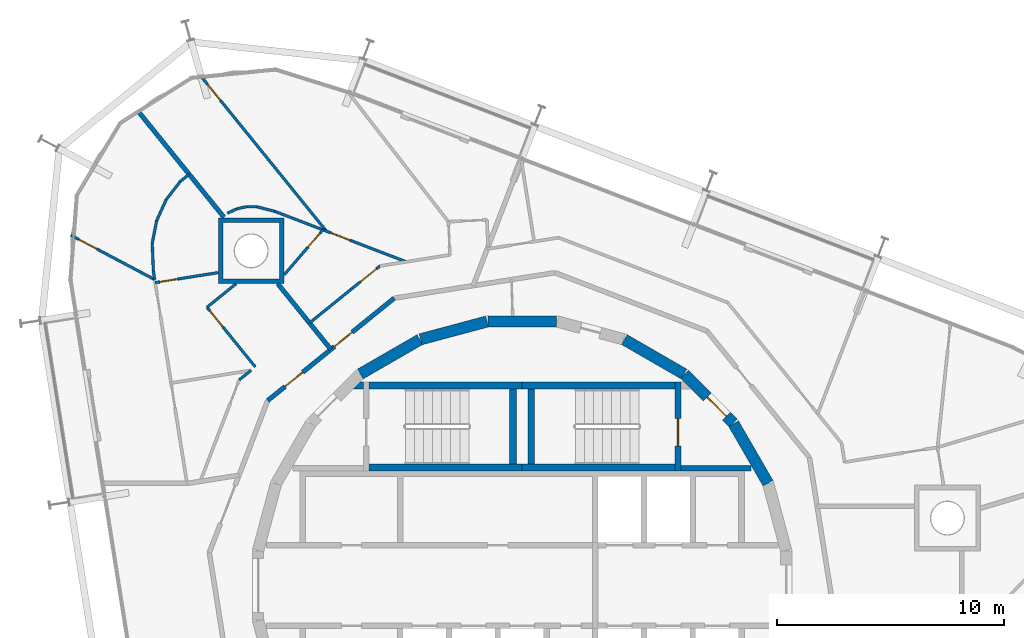
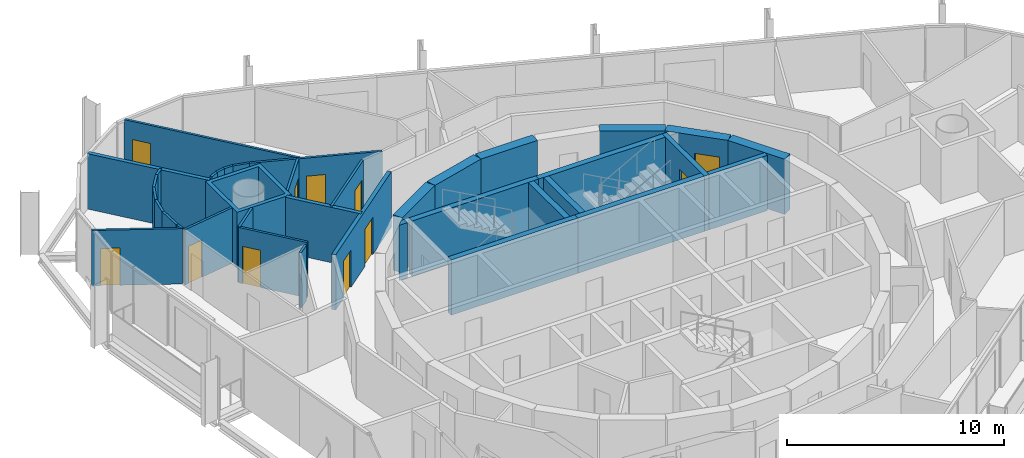
# One storey, part 15 of 18: 38 walls, 11 doors, 11 openings.
"""IFC4 building model written with IfcOpenShell, lengths in metres."""

from ifc_helpers import new_model, si_unit, direction, frame, frame_2d, origin, place, context, subcontext, project, spatial, polyline, rectangle, outline, extrude, material, layer, layer_set, type_object, element, fill, save


model = new_model("IFC4")

# Units and contexts
model_context = context("Model", 3, precision=1e-05, world=origin(), true_north=direction((0.0, 1.0)))
body_context = subcontext(model_context, "Body", "Model", "MODEL_VIEW")
ifc_project = project(units=[si_unit("LENGTHUNIT", "METRE"), si_unit("AREAUNIT", "SQUARE_METRE"), si_unit("VOLUMEUNIT", "CUBIC_METRE"), si_unit("PLANEANGLEUNIT", "RADIAN"), si_unit("MASSUNIT", "GRAM", prefix="KILO")], contexts=[model_context])

# Site, building, storey
site_placement = place(None, origin())
site = spatial("IfcSite", under=ifc_project, at=site_placement, CompositionType="ELEMENT")
building_placement = place(site_placement, origin())
building = spatial("IfcBuilding", under=site, at=building_placement, Name="Spindle Arch Residences", CompositionType="ELEMENT")
storey_placement = place(building_placement, frame((0.0, 0.0, 273.89990234375)))
storey = spatial("IfcBuildingStorey", under=building, at=storey_placement, Name="L70", CompositionType="ELEMENT", Elevation=273.89990234375)

# Wall
ifc_material_1 = material(Name="Concrete C50/60", Category="concrete")
ifc_layer_1 = layer(ifc_material_1, 0.5)
ifc_layer_set_1 = layer_set([ifc_layer_1], Name="Core outline wall 500")
wall_type_1 = type_object("IfcWallType", Name="Core outline wall 500", PredefinedType="SHEAR", material=ifc_layer_set_1)
wall_1_placement = place(storey_placement, frame((10.84521484375, 4.510498046875, 0.0), z_axis=(0.0, 0.0, 1.0), x_axis=(-0.500087131594, 0.865975092491, 0.0)))
element("IfcWall", 1, at=wall_1_placement, inside=storey, type_object=wall_type_1, Name="Core outline wall 8", PredefinedType="SHEAR", context=body_context, shape_type="SweptSolid", body=[
    extrude(rectangle(XDim=3.03271484375, YDim=0.5, at=frame_2d((1.516357421875, 0.0))), origin(), (0.0, 0.0, 1.0), 3.1201171875),
])

# Wall, opening, door
wall_2_placement = place(storey_placement, frame((9.30810546875, 7.163818359375, 0.0), z_axis=(0.0, 0.0, 1.0), x_axis=(-0.707106781187, 0.707106781187, 0.0)))
wall_2 = element("IfcWall", 2, at=wall_2_placement, inside=storey, type_object=wall_type_1, Name="Core outline wall 9", PredefinedType="SHEAR", context=body_context, shape_type="SweptSolid", body=[
    extrude(rectangle(XDim=3.032470703125, YDim=0.5, at=frame_2d((1.51611328125, 0.0))), origin(), (0.0, 0.0, 1.0), 3.1201171875),
])
opening_1_placement = place(wall_2_placement, frame((0.416259765625, 0.0, 0.0)))
opening_1 = element("IfcOpeningElement", 3, at=opening_1_placement, cuts=wall_2, Name="Opening R7B1-AD01", PredefinedType="OPENING", context=body_context, shape_type="SweptSolid", body=[
    extrude(rectangle(XDim=1.199951171875, YDim=2.10009765625, at=frame_2d((0.60009765625, 1.050048828125))), frame((0.0, 0.260009765625, 0.0), z_axis=(0.0, -1.0, 0.0), x_axis=(1.0, 0.0, 0.0)), (0.0, 0.0, 1.0), 0.52001953125),
])
ifc_material_2 = material(Name="Steel, fire-resisting door", Category="steel")
door_type_1 = type_object("IfcDoorType", Name="Stair airlock door 1200x2100", OperationType="SINGLE_SWING_LEFT", PredefinedType="DOOR", material=ifc_material_2)
door_1_placement = place(opening_1_placement, origin())
door_1 = element("IfcDoor", 4, at=door_1_placement, inside=storey, type_object=door_type_1, Name="Stair airlock door R7B1-AD01", OperationType="SINGLE_SWING_RIGHT", OverallHeight=2.10009765625, OverallWidth=1.199951171875, PredefinedType="DOOR", context=body_context, shape_type="SweptSolid", body=[
    extrude(rectangle(XDim=1.199951171875, YDim=2.10009765625, at=frame_2d((0.60009765625, 1.050048828125))), frame((0.0, 0.02490234375, 0.0), z_axis=(0.0, -1.0, 0.0), x_axis=(1.0, 0.0, 0.0)), (0.0, 0.0, 1.0), 0.050048828125),
])
fill(opening_1, door_1)

# Walls
for number, where, z_axis, x_axis, name in (
    (5, (7.13671875, 9.32861328125, 0.0), (0.0, 0.0, 1.0), (-0.865975092491, 0.500087131594, 0.0), "Core outline wall 10"),
    (6, (1.516357421875, 11.647216796875, 0.0), (0.0, 0.0, 1.0), (-1.0, 0.0, 0.0), "Core outline wall 12"),
    (7, (-1.5498046875, 11.642822265625, 0.0), (0.0, 0.0, 1.0), (-0.965948410781, -0.258734743916, 0.0), "Core outline wall 13"),
    (8, (-4.510498046875, 10.84521484375, 0.0), (0.0, 0.0, 1.0), (-0.865975092491, -0.500087131594, 0.0), "Core outline wall 14"),
):
    element("IfcWall", number, at=place(storey_placement, frame(where, z_axis=z_axis, x_axis=x_axis)), inside=storey, type_object=wall_type_1, Name=name, PredefinedType="SHEAR", context=body_context, shape_type="SweptSolid", body=[
        extrude(rectangle(XDim=3.03271484375, YDim=0.5, at=frame_2d((1.516357421875, 0.0))), origin(), (0.0, 0.0, 1.0), 3.1201171875),
    ])

# Wall, openings, doors
ifc_material_3 = material(Name="Calcium silicate block, plastered")
ifc_layer_2 = layer(ifc_material_3, 0.199951171875)
ifc_layer_set_2 = layer_set([ifc_layer_2], Name="Corridor wall 200")
wall_type_2 = type_object("IfcWallType", Name="Corridor wall 200", PredefinedType="STANDARD", material=ifc_layer_set_2)
wall_3_placement = place(storey_placement, frame((-5.642578125, 12.67333984375, 0.0), z_axis=(0.0, 0.0, 1.0), x_axis=(-0.777160148113, -0.629302871585, 0.0)))
wall_3 = element("IfcWall", 9, at=wall_3_placement, inside=storey, type_object=wall_type_2, Name="Corridor wall R7B1-W011", PredefinedType="STANDARD", context=body_context, shape_type="SweptSolid", body=[
    extrude(rectangle(XDim=7.180908203125, YDim=0.199951171875, at=frame_2d((3.59033203125, 0.0))), origin(), (0.0, 0.0, 1.0), 3.1201171875),
])
opening_2_placement = place(wall_3_placement, frame((2.390380859375, 0.0, 0.0)))
opening_2 = element("IfcOpeningElement", 10, at=opening_2_placement, cuts=wall_3, Name="Opening R7B1-FD02", PredefinedType="OPENING", context=body_context, shape_type="SweptSolid", body=[
    extrude(rectangle(XDim=1.0, YDim=2.10009765625, at=frame_2d((0.5, 1.050048828125))), frame((0.0, 0.10986328125, 0.0), z_axis=(0.0, -1.0, 0.0), x_axis=(1.0, 0.0, 0.0)), (0.0, 0.0, 1.0), 0.219970703125),
])
opening_3_placement = place(wall_3_placement, frame((5.191650390625, 0.0, 0.0)))
opening_3 = element("IfcOpeningElement", 11, at=opening_3_placement, cuts=wall_3, Name="Opening R7B1-FD03", PredefinedType="OPENING", context=body_context, shape_type="SweptSolid", body=[
    extrude(rectangle(XDim=1.0, YDim=2.10009765625, at=frame_2d((0.5, 1.050048828125))), frame((0.0, 0.10986328125, 0.0), z_axis=(0.0, -1.0, 0.0), x_axis=(1.0, 0.0, 0.0)), (0.0, 0.0, 1.0), 0.219970703125),
])
ifc_material_4 = material(Name="Timber, fire-resisting door set", Category="wood")
door_type_2 = type_object("IfcDoorType", Name="Flat entrance door 1000x2100", OperationType="NOTDEFINED", PredefinedType="DOOR", material=ifc_material_4)
door_2_placement = place(opening_2_placement, origin())
door_2 = element("IfcDoor", 12, at=door_2_placement, inside=storey, type_object=door_type_2, Name="Flat entrance door R7B1-FD02", OperationType="SINGLE_SWING_RIGHT", OverallHeight=2.10009765625, OverallWidth=1.0, PredefinedType="DOOR", context=body_context, shape_type="SweptSolid", body=[
    extrude(rectangle(XDim=1.0, YDim=2.10009765625, at=frame_2d((0.5, 1.050048828125))), frame((0.0, 0.02490234375, 0.0), z_axis=(0.0, -1.0, 0.0), x_axis=(1.0, 0.0, 0.0)), (0.0, 0.0, 1.0), 0.050048828125),
])
fill(opening_2, door_2)
door_3_placement = place(opening_3_placement, origin())
door_3 = element("IfcDoor", 13, at=door_3_placement, inside=storey, type_object=door_type_2, Name="Flat entrance door R7B1-FD03", OperationType="SINGLE_SWING_LEFT", OverallHeight=2.10009765625, OverallWidth=1.0, PredefinedType="DOOR", context=body_context, shape_type="SweptSolid", body=[
    extrude(rectangle(XDim=1.0, YDim=2.10009765625, at=frame_2d((0.5, 1.050048828125))), frame((0.0, 0.02490234375, 0.0), z_axis=(0.0, -1.0, 0.0), x_axis=(1.0, 0.0, 0.0)), (0.0, 0.0, 1.0), 0.050048828125),
])
fill(opening_3, door_3)

# Wall, opening, door
ifc_material_5 = material(Name="Plasterboard on steel studs", Category="steel")
ifc_layer_3 = layer(ifc_material_5, 0.1201171875)
ifc_layer_set_3 = layer_set([ifc_layer_3], Name="Flat partition 120")
wall_type_3 = type_object("IfcWallType", Name="Flat partition 120", PredefinedType="PARTITIONING", material=ifc_layer_set_3)
wall_4_placement = place(storey_placement, frame((-6.274169921875, 14.092041015625, 0.0), z_axis=(0.0, 0.0, 1.0), x_axis=(-0.777162268892, -0.629300252511, 0.0)))
wall_4 = element("IfcWall", 14, at=wall_4_placement, inside=storey, type_object=wall_type_3, Name="Flat partition R7B1-W045", PredefinedType="PARTITIONING", context=body_context, shape_type="SweptSolid", body=[
    extrude(rectangle(XDim=3.992431640625, YDim=0.1201171875, at=frame_2d((1.99609375, 0.0))), origin(), (0.0, 0.0, 1.0), 3.1201171875),
])
opening_4_placement = place(wall_4_placement, frame((0.199951171875, 0.0, 0.0)))
opening_4 = element("IfcOpeningElement", 15, at=opening_4_placement, cuts=wall_4, Name="Opening R7B1-ID07", PredefinedType="OPENING", context=body_context, shape_type="SweptSolid", body=[
    extrude(rectangle(XDim=0.89990234375, YDim=2.10009765625, at=frame_2d((0.449951171875, 1.050048828125))), frame((0.0, 0.070068359375, 0.0), z_axis=(0.0, -1.0, 0.0), x_axis=(1.0, 0.0, 0.0)), (0.0, 0.0, 1.0), 0.14013671875),
])
ifc_material_6 = material(Name="Timber door set", Category="wood")
door_type_3 = type_object("IfcDoorType", Name="Room door 900x2100", OperationType="NOTDEFINED", PredefinedType="DOOR", material=ifc_material_6)
door_4_placement = place(opening_4_placement, origin())
door_4 = element("IfcDoor", 16, at=door_4_placement, inside=storey, type_object=door_type_3, Name="Room door R7B1-ID07", OperationType="SINGLE_SWING_RIGHT", OverallHeight=2.10009765625, OverallWidth=0.89990234375, PredefinedType="DOOR", context=body_context, shape_type="SweptSolid", body=[
    extrude(rectangle(XDim=0.89990234375, YDim=2.10009765625, at=frame_2d((0.449951171875, 1.050048828125))), frame((0.0, 0.02490234375, 0.0), z_axis=(0.0, -1.0, 0.0), x_axis=(1.0, 0.0, 0.0)), (0.0, 0.0, 1.0), 0.050048828125),
])
fill(opening_4, door_4)

wall_5_placement = place(storey_placement, frame((-10.909912109375, 16.50244140625, 0.0), z_axis=(0.0, 0.0, 1.0), x_axis=(0.933584453869, -0.358357457707, 0.0)))
wall_5 = element("IfcWall", 17, at=wall_5_placement, inside=storey, type_object=wall_type_3, Name="Flat partition R7B1-W047", PredefinedType="PARTITIONING", context=body_context, shape_type="SweptSolid", body=[
    extrude(rectangle(XDim=6.2119140625, YDim=0.1201171875, at=frame_2d((3.10595703125, 0.0))), origin(), (0.0, 0.0, 1.0), 3.1201171875),
])
opening_5_placement = place(wall_5_placement, frame((2.657470703125, 0.0, 0.0)))
opening_5 = element("IfcOpeningElement", 18, at=opening_5_placement, cuts=wall_5, Name="Opening R7B1-ID09", PredefinedType="OPENING", context=body_context, shape_type="SweptSolid", body=[
    extrude(rectangle(XDim=0.89990234375, YDim=2.10009765625, at=frame_2d((0.449951171875, 1.050048828125))), frame((0.0, 0.070068359375, 0.0), z_axis=(0.0, -1.0, 0.0), x_axis=(1.0, 0.0, 0.0)), (0.0, 0.0, 1.0), 0.14013671875),
])
door_5_placement = place(opening_5_placement, origin())
door_5 = element("IfcDoor", 19, at=door_5_placement, inside=storey, type_object=door_type_3, Name="Room door R7B1-ID09", OperationType="SINGLE_SWING_LEFT", OverallHeight=2.10009765625, OverallWidth=0.89990234375, PredefinedType="DOOR", context=body_context, shape_type="SweptSolid", body=[
    extrude(rectangle(XDim=0.89990234375, YDim=2.10009765625, at=frame_2d((0.449951171875, 1.050048828125))), frame((0.0, 0.02490234375, 0.0), z_axis=(0.0, -1.0, 0.0), x_axis=(1.0, 0.0, 0.0)), (0.0, 0.0, 1.0), 0.050048828125),
])
fill(opening_5, door_5)

wall_6_placement = place(storey_placement, frame((-14.1318359375, 22.417724609375, 0.0), z_axis=(0.0, 0.0, 1.0), x_axis=(0.629309172704, -0.77715504576, 0.0)))
wall_6 = element("IfcWall", 20, at=wall_6_placement, inside=storey, type_object=wall_type_3, Name="Flat partition R7B1-W048", PredefinedType="PARTITIONING", context=body_context, shape_type="SweptSolid", body=[
    extrude(rectangle(XDim=8.735595703125, YDim=0.1201171875, at=frame_2d((4.36767578125, 0.0))), origin(), (0.0, 0.0, 1.0), 3.1201171875),
])
opening_6_placement = place(wall_6_placement, frame((0.39990234375, 0.0, 0.0)))
opening_6 = element("IfcOpeningElement", 21, at=opening_6_placement, cuts=wall_6, Name="Opening R7B1-ID08", PredefinedType="OPENING", context=body_context, shape_type="SweptSolid", body=[
    extrude(rectangle(XDim=0.89990234375, YDim=2.10009765625, at=frame_2d((0.449951171875, 1.050048828125))), frame((0.0, 0.070068359375, 0.0), z_axis=(0.0, -1.0, 0.0), x_axis=(1.0, 0.0, 0.0)), (0.0, 0.0, 1.0), 0.14013671875),
])
door_6_placement = place(opening_6_placement, origin())
door_6 = element("IfcDoor", 22, at=door_6_placement, inside=storey, type_object=door_type_3, Name="Room door R7B1-ID08", OperationType="SINGLE_SWING_RIGHT", OverallHeight=2.10009765625, OverallWidth=0.89990234375, PredefinedType="DOOR", context=body_context, shape_type="SweptSolid", body=[
    extrude(rectangle(XDim=0.89990234375, YDim=2.10009765625, at=frame_2d((0.449951171875, 1.050048828125))), frame((0.0, 0.02490234375, 0.0), z_axis=(0.0, -1.0, 0.0), x_axis=(1.0, 0.0, 0.0)), (0.0, 0.0, 1.0), 0.050048828125),
])
fill(opening_6, door_6)

wall_7_placement = place(storey_placement, frame((-8.788330078125, 15.68798828125, 0.0), z_axis=(0.0, 0.0, 1.0), x_axis=(-0.652090514391, -0.758141122115, 0.0)))
wall_7 = element("IfcWall", 23, at=wall_7_placement, inside=storey, type_object=wall_type_3, Name="Flat partition R7B1-W049", PredefinedType="PARTITIONING", context=body_context, shape_type="SweptSolid", body=[
    extrude(rectangle(XDim=2.62890625, YDim=0.1201171875, at=frame_2d((1.314453125, 0.0))), origin(), (0.0, 0.0, 1.0), 3.1201171875),
])
opening_7_placement = place(wall_7_placement, frame((0.199951171875, 0.0, 0.0)))
opening_7 = element("IfcOpeningElement", 24, at=opening_7_placement, cuts=wall_7, Name="Opening R7B1-BD02", PredefinedType="OPENING", context=body_context, shape_type="SweptSolid", body=[
    extrude(rectangle(XDim=0.800048828125, YDim=2.10009765625, at=frame_2d((0.39990234375, 1.050048828125))), frame((0.0, 0.070068359375, 0.0), z_axis=(0.0, -1.0, 0.0), x_axis=(1.0, 0.0, 0.0)), (0.0, 0.0, 1.0), 0.14013671875),
])
ifc_material_7 = material(Name="Timber door set", Category="wood")
door_type_4 = type_object("IfcDoorType", Name="Bathroom door 800x2100", OperationType="NOTDEFINED", PredefinedType="DOOR", material=ifc_material_7)
door_7_placement = place(opening_7_placement, origin())
door_7 = element("IfcDoor", 25, at=door_7_placement, inside=storey, type_object=door_type_4, Name="Bathroom door R7B1-BD02", OperationType="SINGLE_SWING_RIGHT", OverallHeight=2.10009765625, OverallWidth=0.800048828125, PredefinedType="DOOR", context=body_context, shape_type="SweptSolid", body=[
    extrude(rectangle(XDim=0.800048828125, YDim=2.10009765625, at=frame_2d((0.39990234375, 1.050048828125))), frame((0.0, 0.02490234375, 0.0), z_axis=(0.0, -1.0, 0.0), x_axis=(1.0, 0.0, 0.0)), (0.0, 0.0, 1.0), 0.050048828125),
])
fill(opening_7, door_7)

# Walls
wall_8_placement = place(storey_placement, frame((-10.909912109375, 16.50244140625, 0.0), z_axis=(0.0, 0.0, 1.0), x_axis=(-0.96886520615, 0.247588796823, 0.0)))
element("IfcWall", 26, at=wall_8_placement, inside=storey, type_object=wall_type_3, Name="Flat partition R7B1-W050", PredefinedType="PARTITIONING", context=body_context, shape_type="SweptSolid", body=[
    extrude(rectangle(XDim=0.806640625, YDim=0.1201171875, at=frame_2d((0.4033203125, 0.0))), origin(), (0.0, 0.0, 1.0), 3.1201171875),
])
wall_9_placement = place(storey_placement, frame((-11.69140625, 16.7021484375, 0.0), z_axis=(0.0, 0.0, 1.0), x_axis=(-0.999843155249, 0.017710587291, 0.0)))
element("IfcWall", 27, at=wall_9_placement, inside=storey, type_object=wall_type_3, Name="Flat partition R7B1-W051", PredefinedType="PARTITIONING", context=body_context, shape_type="SweptSolid", body=[
    extrude(rectangle(XDim=0.454833984375, YDim=0.1201171875, at=frame_2d((0.2275390625, 0.0))), origin(), (0.0, 0.0, 1.0), 3.1201171875),
])
wall_10_placement = place(storey_placement, frame((-12.146240234375, 16.710205078125, 0.0), z_axis=(0.0, 0.0, 1.0), x_axis=(-0.976826470165, -0.21403281801, 0.0)))
element("IfcWall", 28, at=wall_10_placement, inside=storey, type_object=wall_type_3, Name="Flat partition R7B1-W052", PredefinedType="PARTITIONING", context=body_context, shape_type="SweptSolid", body=[
    extrude(rectangle(XDim=0.455078125, YDim=0.1201171875, at=frame_2d((0.2275390625, 0.0))), origin(), (0.0, 0.0, 1.0), 3.1201171875),
])
wall_11_placement = place(storey_placement, frame((-12.5908203125, 16.61279296875, 0.0), z_axis=(0.0, 0.0, 1.0), x_axis=(-0.901405666701, -0.432975546699, 0.0)))
element("IfcWall", 29, at=wall_11_placement, inside=storey, type_object=wall_type_3, Name="Flat partition R7B1-W053", PredefinedType="PARTITIONING", context=body_context, shape_type="SweptSolid", body=[
    extrude(rectangle(XDim=0.45458984375, YDim=0.1201171875, at=frame_2d((0.227294921875, 0.0))), origin(), (0.0, 0.0, 1.0), 3.1201171875),
])
wall_12_placement = place(storey_placement, frame((-12.616455078125, 13.310546875, 0.0), z_axis=(0.0, 0.0, 1.0), x_axis=(-0.7771657422, -0.629295963082, 0.0)))
element("IfcWall", 30, at=wall_12_placement, inside=storey, type_object=wall_type_3, Name="Flat partition R7B1-W054", PredefinedType="PARTITIONING", context=body_context, shape_type="SweptSolid", body=[
    extrude(rectangle(XDim=1.652587890625, YDim=0.1201171875, at=frame_2d((0.826171875, 0.0))), origin(), (0.0, 0.0, 1.0), 3.1201171875),
])

# Wall, opening, door
wall_13_placement = place(storey_placement, frame((-13.90087890625, 12.2705078125, 0.0), z_axis=(0.0, 0.0, 1.0), x_axis=(0.62932066967, -0.777145735835, 0.0)))
wall_13 = element("IfcWall", 31, at=wall_13_placement, inside=storey, type_object=wall_type_3, Name="Flat partition R7B1-W055", PredefinedType="PARTITIONING", context=body_context, shape_type="SweptSolid", body=[
    extrude(rectangle(XDim=3.384033203125, YDim=0.1201171875, at=frame_2d((1.69189453125, 0.0))), origin(), (0.0, 0.0, 1.0), 3.1201171875),
])
opening_8_placement = place(wall_13_placement, frame((0.199951171875, 0.0, 0.0)))
opening_8 = element("IfcOpeningElement", 32, at=opening_8_placement, cuts=wall_13, Name="Opening R7B1-ID10", PredefinedType="OPENING", context=body_context, shape_type="SweptSolid", body=[
    extrude(rectangle(XDim=0.89990234375, YDim=2.10009765625, at=frame_2d((0.449951171875, 1.050048828125))), frame((0.0, 0.070068359375, 0.0), z_axis=(0.0, -1.0, 0.0), x_axis=(1.0, 0.0, 0.0)), (0.0, 0.0, 1.0), 0.14013671875),
])
door_8_placement = place(opening_8_placement, origin())
door_8 = element("IfcDoor", 33, at=door_8_placement, inside=storey, type_object=door_type_3, Name="Room door R7B1-ID10", OperationType="SINGLE_SWING_LEFT", OverallHeight=2.10009765625, OverallWidth=0.89990234375, PredefinedType="DOOR", context=body_context, shape_type="SweptSolid", body=[
    extrude(rectangle(XDim=0.89990234375, YDim=2.10009765625, at=frame_2d((0.449951171875, 1.050048828125))), frame((0.0, 0.02490234375, 0.0), z_axis=(0.0, -1.0, 0.0), x_axis=(1.0, 0.0, 0.0)), (0.0, 0.0, 1.0), 0.050048828125),
])
fill(opening_8, door_8)

# Walls
wall_14_placement = place(storey_placement, frame((-11.960205078125, 9.4873046875, 0.0), z_axis=(0.0, 0.0, 1.0), x_axis=(-0.777219341678, -0.62922976322, 0.0)))
element("IfcWall", 34, at=wall_14_placement, inside=storey, type_object=wall_type_3, Name="Flat partition R7B1-W056", PredefinedType="PARTITIONING", context=body_context, shape_type="SweptSolid", body=[
    extrude(rectangle(XDim=0.668212890625, YDim=0.1201171875, at=frame_2d((0.333984375, 0.0))), origin(), (0.0, 0.0, 1.0), 3.1201171875),
])
wall_15_placement = place(storey_placement, frame((-14.687744140625, 18.137939453125, 0.0), z_axis=(0.0, 0.0, 1.0), x_axis=(-0.777009819755, -0.629488474879, 0.0)))
element("IfcWall", 35, at=wall_15_placement, inside=storey, type_object=wall_type_3, Name="Flat partition R7B1-W058", PredefinedType="PARTITIONING", context=body_context, shape_type="SweptSolid", body=[
    extrude(rectangle(XDim=0.508056640625, YDim=0.1201171875, at=frame_2d((0.25390625, 0.0))), origin(), (0.0, 0.0, 1.0), 3.1201171875),
])
wall_16_placement = place(storey_placement, frame((-15.08251953125, 17.818115234375, 0.0), z_axis=(0.0, 0.0, 1.0), x_axis=(-0.611091802574, -0.791559731686, 0.0)))
element("IfcWall", 36, at=wall_16_placement, inside=storey, type_object=wall_type_3, Name="Flat partition R7B1-W059", PredefinedType="PARTITIONING", context=body_context, shape_type="SweptSolid", body=[
    extrude(rectangle(XDim=1.015869140625, YDim=0.1201171875, at=frame_2d((0.5078125, 0.0))), origin(), (0.0, 0.0, 1.0), 3.1201171875),
])
wall_17_placement = place(storey_placement, frame((-15.703369140625, 17.013916015625, 0.0), z_axis=(0.0, 0.0, 1.0), x_axis=(-0.411973085874, -0.911196014322, 0.0)))
element("IfcWall", 37, at=wall_17_placement, inside=storey, type_object=wall_type_3, Name="Flat partition R7B1-W060", PredefinedType="PARTITIONING", context=body_context, shape_type="SweptSolid", body=[
    extrude(rectangle(XDim=1.015625, YDim=0.1201171875, at=frame_2d((0.5078125, 0.0))), origin(), (0.0, 0.0, 1.0), 3.1201171875),
])
wall_18_placement = place(storey_placement, frame((-16.121826171875, 16.08837890625, 0.0), z_axis=(0.0, 0.0, 1.0), x_axis=(-0.191030445301, -0.981584112019, 0.0)))
element("IfcWall", 38, at=wall_18_placement, inside=storey, type_object=wall_type_3, Name="Flat partition R7B1-W061", PredefinedType="PARTITIONING", context=body_context, shape_type="SweptSolid", body=[
    extrude(rectangle(XDim=1.01611328125, YDim=0.1201171875, at=frame_2d((0.508056640625, 0.0))), origin(), (0.0, 0.0, 1.0), 3.1201171875),
])
wall_19_placement = place(storey_placement, frame((-16.31591796875, 15.091064453125, 0.0), z_axis=(0.0, 0.0, 1.0), x_axis=(0.040786423131, -0.999167887639, 0.0)))
element("IfcWall", 39, at=wall_19_placement, inside=storey, type_object=wall_type_3, Name="Flat partition R7B1-W062", PredefinedType="PARTITIONING", context=body_context, shape_type="SweptSolid", body=[
    extrude(rectangle(XDim=1.22705078125, YDim=0.1201171875, at=frame_2d((0.613525390625, 0.0))), origin(), (0.0, 0.0, 1.0), 3.1201171875),
])
wall_20_placement = place(storey_placement, frame((-16.265869140625, 13.864990234375, 0.0), z_axis=(0.0, 0.0, 1.0), x_axis=(0.156757556272, -0.987637113798, 0.0)))
element("IfcWall", 40, at=wall_20_placement, inside=storey, type_object=wall_type_3, Name="Flat partition R7B1-W063", PredefinedType="PARTITIONING", context=body_context, shape_type="SweptSolid", body=[
    extrude(rectangle(XDim=0.37841796875, YDim=0.1201171875, at=frame_2d((0.189208984375, 0.0))), origin(), (0.0, 0.0, 1.0), 3.1201171875),
])

# Wall, opening, door
wall_21_placement = place(storey_placement, frame((-16.185791015625, 13.359375, 0.0), z_axis=(0.0, 0.0, 1.0), x_axis=(0.987680631298, 0.156483131865, 0.0)))
wall_21 = element("IfcWall", 41, at=wall_21_placement, inside=storey, type_object=wall_type_3, Name="Flat partition R7B1-W064", PredefinedType="PARTITIONING", context=body_context, shape_type="SweptSolid", body=[
    extrude(rectangle(XDim=2.817626953125, YDim=0.1201171875, at=frame_2d((1.40869140625, 0.0))), origin(), (0.0, 0.0, 1.0), 3.1201171875),
])
opening_9_placement = place(wall_21_placement, frame((0.199951171875, 0.0, 0.0)))
opening_9 = element("IfcOpeningElement", 42, at=opening_9_placement, cuts=wall_21, Name="Opening R7B1-BD03", PredefinedType="OPENING", context=body_context, shape_type="SweptSolid", body=[
    extrude(rectangle(XDim=0.800048828125, YDim=2.10009765625, at=frame_2d((0.39990234375, 1.050048828125))), frame((0.0, 0.070068359375, 0.0), z_axis=(0.0, -1.0, 0.0), x_axis=(1.0, 0.0, 0.0)), (0.0, 0.0, 1.0), 0.14013671875),
])
door_9_placement = place(opening_9_placement, origin())
door_9 = element("IfcDoor", 43, at=door_9_placement, inside=storey, type_object=door_type_4, Name="Bathroom door R7B1-BD03", OperationType="SINGLE_SWING_LEFT", OverallHeight=2.10009765625, OverallWidth=0.800048828125, PredefinedType="DOOR", context=body_context, shape_type="SweptSolid", body=[
    extrude(rectangle(XDim=0.800048828125, YDim=2.10009765625, at=frame_2d((0.39990234375, 1.050048828125))), frame((0.0, 0.02490234375, 0.0), z_axis=(0.0, -1.0, 0.0), x_axis=(1.0, 0.0, 0.0)), (0.0, 0.0, 1.0), 0.050048828125),
])
fill(opening_9, door_9)

wall_22_placement = place(storey_placement, frame((-19.91259765625, 15.45361328125, 0.0), z_axis=(0.0, 0.0, 1.0), x_axis=(0.883751094582, -0.467957266024, 0.0)))
wall_22 = element("IfcWall", 44, at=wall_22_placement, inside=storey, type_object=wall_type_3, Name="Flat partition R7B1-W065", PredefinedType="PARTITIONING", context=body_context, shape_type="SweptSolid", body=[
    extrude(rectangle(XDim=4.193603515625, YDim=0.1201171875, at=frame_2d((2.0966796875, 0.0))), origin(), (0.0, 0.0, 1.0), 3.1201171875),
])
opening_10_placement = place(wall_22_placement, frame((0.39990234375, 0.0, 0.0)))
opening_10 = element("IfcOpeningElement", 45, at=opening_10_placement, cuts=wall_22, Name="Opening R7B1-ID13", PredefinedType="OPENING", context=body_context, shape_type="SweptSolid", body=[
    extrude(rectangle(XDim=0.89990234375, YDim=2.10009765625, at=frame_2d((0.449951171875, 1.050048828125))), frame((0.0, 0.070068359375, 0.0), z_axis=(0.0, -1.0, 0.0), x_axis=(1.0, 0.0, 0.0)), (0.0, 0.0, 1.0), 0.14013671875),
])
door_10_placement = place(opening_10_placement, origin())
door_10 = element("IfcDoor", 46, at=door_10_placement, inside=storey, type_object=door_type_3, Name="Room door R7B1-ID13", OperationType="SINGLE_SWING_LEFT", OverallHeight=2.10009765625, OverallWidth=0.89990234375, PredefinedType="DOOR", context=body_context, shape_type="SweptSolid", body=[
    extrude(rectangle(XDim=0.89990234375, YDim=2.10009765625, at=frame_2d((0.449951171875, 1.050048828125))), frame((0.0, 0.02490234375, 0.0), z_axis=(0.0, -1.0, 0.0), x_axis=(1.0, 0.0, 0.0)), (0.0, 0.0, 1.0), 0.050048828125),
])
fill(opening_10, door_10)

# Walls
ifc_material_8 = material(Name="Calcium silicate block, plastered")
ifc_layer_4 = layer(ifc_material_8, 0.199951171875)
ifc_layer_set_4 = layer_set([ifc_layer_4], Name="Flat party wall 200")
wall_type_4 = type_object("IfcWallType", Name="Flat party wall 200", PredefinedType="STANDARD", material=ifc_layer_set_4)
wall_23_placement = place(storey_placement, frame((-10.779296875, 13.309814453125, 0.0), z_axis=(0.0, 0.0, 1.0), x_axis=(0.62931692753, -0.777148766147, 0.0)))
element("IfcWall", 47, at=wall_23_placement, inside=storey, type_object=wall_type_4, Name="Flat party wall R7B1-W025", PredefinedType="STANDARD", context=body_context, shape_type="SweptSolid", body=[
    extrude(rectangle(XDim=3.727294921875, YDim=0.199951171875, at=frame_2d((1.86376953125, 0.0))), origin(), (0.0, 0.0, 1.0), 3.1201171875),
])
wall_24_placement = place(storey_placement, frame((-16.953369140625, 20.935546875, 0.0), z_axis=(0.0, 0.0, 1.0), x_axis=(0.629347053134, -0.77712437017, 0.0)))
element("IfcWall", 48, at=wall_24_placement, inside=storey, type_object=wall_type_4, Name="Flat party wall R7B1-W026", PredefinedType="STANDARD", context=body_context, shape_type="SweptSolid", body=[
    extrude(rectangle(XDim=6.0400390625, YDim=0.199951171875, at=frame_2d((3.02001953125, 0.0))), origin(), (0.0, 0.0, 1.0), 3.1201171875),
])
ifc_material_9 = material(Name="Calcium silicate block, plastered")
ifc_layer_5 = layer(ifc_material_9, 0.199951171875)
ifc_layer_set_5 = layer_set([ifc_layer_5], Name="Mega-column casing wall 200")
wall_type_5 = type_object("IfcWallType", Name="Mega-column casing wall 200", PredefinedType="STANDARD", material=ifc_layer_set_5)
wall_25_placement = place(storey_placement, origin())
element("IfcWall", 49, at=wall_25_placement, inside=storey, type_object=wall_type_5, Name="Mega-column casing wall R7B1-WC02", PredefinedType="STANDARD", context=body_context, shape_type="SweptSolid", body=[
    extrude(outline(polyline([(-10.502685546875, 16.21044921875), (-10.502685546875, 13.310546875), (-13.40283203125, 13.310546875), (-13.40283203125, 16.21044921875), (-10.502685546875, 16.21044921875)]), holes=[polyline([(-13.202880859375, 13.510498046875), (-10.702880859375, 13.510498046875), (-10.702880859375, 16.010498046875), (-13.202880859375, 16.010498046875), (-13.202880859375, 13.510498046875)])]), origin(), (0.0, 0.0, 1.0), 3.1201171875),
])
ifc_material_10 = material(Name="Concrete C40/50", Category="concrete")
ifc_layer_6 = layer(ifc_material_10, 0.25)
ifc_layer_set_6 = layer_set([ifc_layer_6], Name="Stair airlock wall 250")
wall_type_6 = type_object("IfcWallType", Name="Stair airlock wall 250", PredefinedType="SHEAR", material=ifc_layer_set_6)
wall_26_placement = place(storey_placement, frame((7.0, 5.175048828125, 0.0), z_axis=(0.0, 0.0, 1.0), x_axis=(1.0, 0.0, 0.0)))
element("IfcWall", 50, at=wall_26_placement, inside=storey, type_object=wall_type_6, Name="Stair ST-1 airlock wall S", PredefinedType="SHEAR", context=body_context, shape_type="SweptSolid", body=[
    extrude(rectangle(XDim=3.10009765625, YDim=0.25, at=frame_2d((1.550048828125, 0.0))), origin(), (0.0, 0.0, 1.0), 3.1201171875),
])
ifc_material_11 = material(Name="Concrete C40/50", Category="concrete")
wall_type_7 = type_object("IfcWallType", Name="Stair airlock wall profile", PredefinedType="SHEAR", material=ifc_material_11)
wall_27_placement = place(storey_placement, origin())
element("IfcWall", 51, at=wall_27_placement, inside=storey, type_object=wall_type_7, Name="Stair ST-2 airlock wall N", PredefinedType="SHEAR", context=body_context, shape_type="SweptSolid", body=[
    extrude(outline(polyline([(-7.148193359375, 8.969970703125), (-7.0, 8.969970703125), (-7.0, 8.669921875), (-7.4482421875, 8.669921875), (-7.148193359375, 8.969970703125)])), origin(), (0.0, 0.0, 1.0), 3.1201171875),
])

# Wall, opening, door
ifc_material_12 = material(Name="Concrete C50/60", Category="concrete")
ifc_layer_7 = layer(ifc_material_12, 0.25)
ifc_layer_set_7 = layer_set([ifc_layer_7], Name="Stair enclosure wall 250")
wall_type_8 = type_object("IfcWallType", Name="Stair enclosure wall 250", PredefinedType="SHEAR", material=ifc_layer_set_7)
wall_28_placement = place(storey_placement, frame((6.875, 5.050048828125, 0.0), z_axis=(0.0, 0.0, 1.0), x_axis=(0.0, 1.0, 0.0)))
wall_28 = element("IfcWall", 52, at=wall_28_placement, inside=storey, type_object=wall_type_8, Name="Stair ST-1 door wall", PredefinedType="SHEAR", context=body_context, shape_type="SweptSolid", body=[
    extrude(rectangle(XDim=3.919921875, YDim=0.25, at=frame_2d((1.9599609375, 0.0))), origin(), (0.0, 0.0, 1.0), 3.1201171875),
])
opening_11_placement = place(wall_28_placement, frame((1.110107421875, 0.0, 0.0)))
opening_11 = element("IfcOpeningElement", 53, at=opening_11_placement, cuts=wall_28, Name="Opening R7B1-SD01", PredefinedType="OPENING", context=body_context, shape_type="SweptSolid", body=[
    extrude(rectangle(XDim=1.199951171875, YDim=2.10009765625, at=frame_2d((0.60009765625, 1.050048828125))), frame((0.0, 0.135009765625, 0.0), z_axis=(0.0, -1.0, 0.0), x_axis=(1.0, 0.0, 0.0)), (0.0, 0.0, 1.0), 0.27001953125),
])
ifc_material_13 = material(Name="Steel, fire-resisting door", Category="steel")
door_type_5 = type_object("IfcDoorType", Name="Stair door 1200x2100", OperationType="SINGLE_SWING_RIGHT", PredefinedType="DOOR", material=ifc_material_13)
door_11_placement = place(opening_11_placement, origin())
door_11 = element("IfcDoor", 54, at=door_11_placement, inside=storey, type_object=door_type_5, Name="Stair door R7B1-SD01", OperationType="SINGLE_SWING_LEFT", OverallHeight=2.10009765625, OverallWidth=1.199951171875, PredefinedType="DOOR", context=body_context, shape_type="SweptSolid", body=[
    extrude(rectangle(XDim=1.199951171875, YDim=2.10009765625, at=frame_2d((0.60009765625, 1.050048828125))), frame((0.0, 0.02490234375, 0.0), z_axis=(0.0, -1.0, 0.0), x_axis=(1.0, 0.0, 0.0)), (0.0, 0.0, 1.0), 0.050048828125),
])
fill(opening_11, door_11)

# Walls
ifc_material_14 = material(Name="Concrete C50/60", Category="concrete")
ifc_layer_8 = layer(ifc_material_14, 0.300048828125)
ifc_layer_set_8 = layer_set([ifc_layer_8], Name="Stair enclosure wall 300")
wall_type_9 = type_object("IfcWallType", Name="Stair enclosure wall 300", PredefinedType="SHEAR", material=ifc_layer_set_8)
for number, where, z_axis, x_axis, name in (
    (55, (0.0, 5.199951171875, 0.0), (0.0, 0.0, 1.0), (1.0, 0.0, 0.0), "Stair ST-1 enclosure wall S"),
    (56, (0.0, 8.820068359375, 0.0), (0.0, 0.0, 1.0), (1.0, 0.0, 0.0), "Stair ST-1 enclosure wall N"),
):
    element("IfcWall", number, at=place(storey_placement, frame(where, z_axis=z_axis, x_axis=x_axis)), inside=storey, type_object=wall_type_9, Name=name, PredefinedType="SHEAR", context=body_context, shape_type="SweptSolid", body=[
        extrude(rectangle(XDim=6.75, YDim=0.300048828125, at=frame_2d((3.375, 0.0))), origin(), (0.0, 0.0, 1.0), 3.1201171875),
    ])
wall_29_placement = place(storey_placement, frame((0.39990234375, 5.35009765625, 0.0), z_axis=(0.0, 0.0, 1.0), x_axis=(0.0, 1.0, 0.0)))
element("IfcWall", 57, at=wall_29_placement, inside=storey, type_object=wall_type_9, Name="Stair ST-1 enclosure wall F", PredefinedType="SHEAR", context=body_context, shape_type="SweptSolid", body=[
    extrude(rectangle(XDim=3.31982421875, YDim=0.300048828125, at=frame_2d((1.659912109375, 0.0))), origin(), (0.0, 0.0, 1.0), 3.1201171875),
])
for number, where, z_axis, x_axis, name in (
    (58, (-6.75, 5.199951171875, 0.0), (0.0, 0.0, 1.0), (1.0, 0.0, 0.0), "Stair ST-2 enclosure wall S"),
    (59, (-6.75, 8.820068359375, 0.0), (0.0, 0.0, 1.0), (1.0, 0.0, 0.0), "Stair ST-2 enclosure wall N"),
):
    element("IfcWall", number, at=place(storey_placement, frame(where, z_axis=z_axis, x_axis=x_axis)), inside=storey, type_object=wall_type_9, Name=name, PredefinedType="SHEAR", context=body_context, shape_type="SweptSolid", body=[
        extrude(rectangle(XDim=6.75, YDim=0.300048828125, at=frame_2d((3.375, 0.0))), origin(), (0.0, 0.0, 1.0), 3.1201171875),
    ])
wall_30_placement = place(storey_placement, frame((-0.39990234375, 5.35009765625, 0.0), z_axis=(0.0, 0.0, 1.0), x_axis=(0.0, 1.0, 0.0)))
element("IfcWall", 60, at=wall_30_placement, inside=storey, type_object=wall_type_9, Name="Stair ST-2 enclosure wall F", PredefinedType="SHEAR", context=body_context, shape_type="SweptSolid", body=[
    extrude(rectangle(XDim=3.31982421875, YDim=0.300048828125, at=frame_2d((1.659912109375, 0.0))), origin(), (0.0, 0.0, 1.0), 3.1201171875),
])

save(model, "model.ifc")
